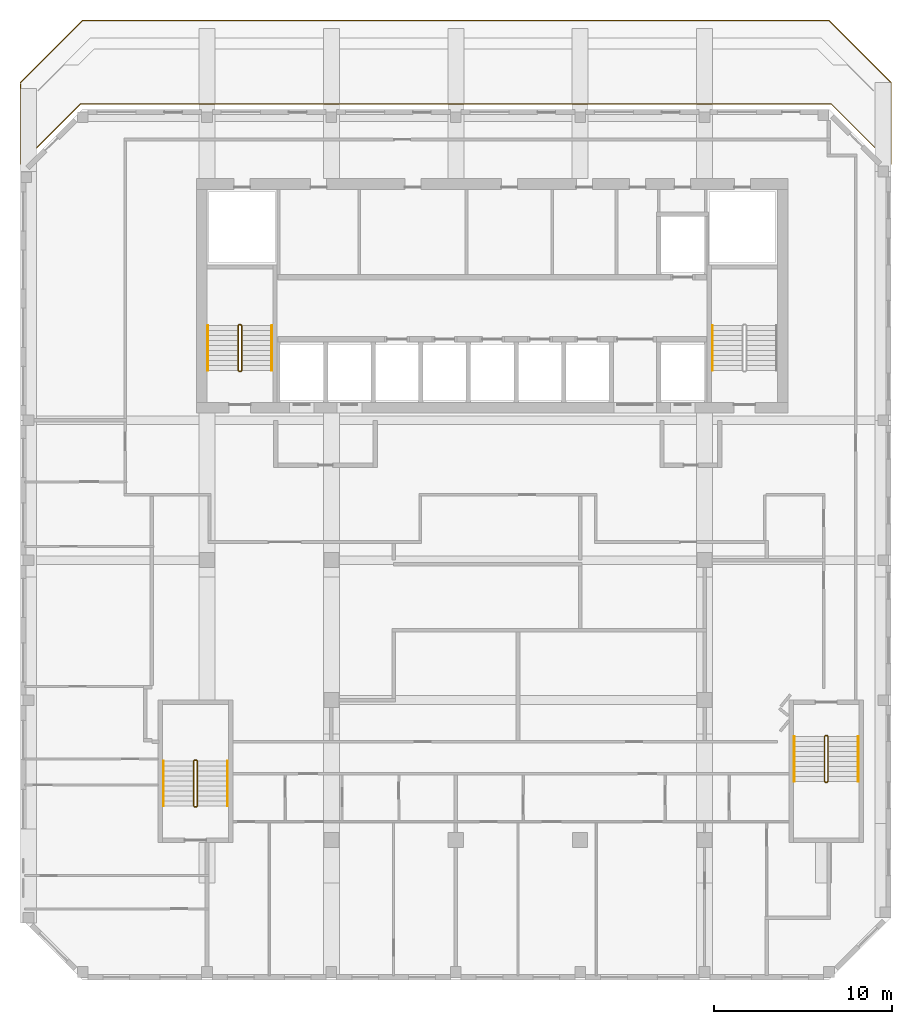
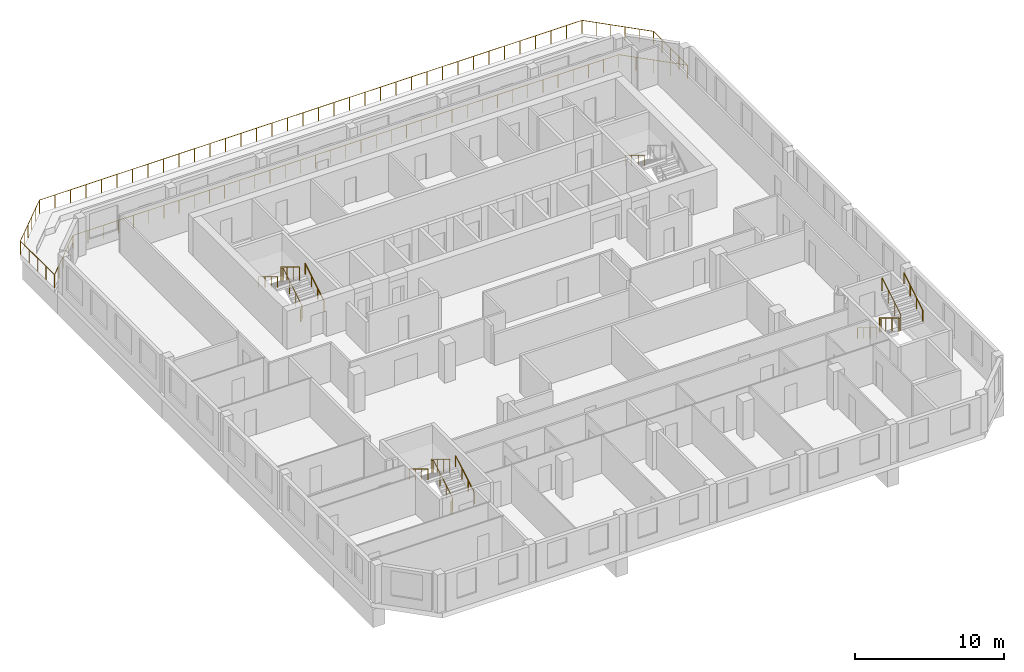
# One storey, part 11 of 12: 11 railings.
"""IFC4 building model written with IfcOpenShell, lengths in metres."""

from ifc_helpers import new_model, si_unit, direction, frame, origin, origin_2d, place, context, subcontext, project, spatial, circle, extrude, material, type_object, element, save


model = new_model("IFC4")

# Units and contexts
model_context = context("Model", 3, precision=1e-05, world=origin(), true_north=direction((0.0, 1.0)))
body_context = subcontext(model_context, "Body", "Model", "MODEL_VIEW")
ifc_project = project(units=[si_unit("LENGTHUNIT", "METRE"), si_unit("AREAUNIT", "SQUARE_METRE"), si_unit("VOLUMEUNIT", "CUBIC_METRE"), si_unit("PLANEANGLEUNIT", "RADIAN"), si_unit("MASSUNIT", "GRAM", prefix="KILO")], contexts=[model_context])

# Site, building, storey
site_placement = place(None, origin())
site = spatial("IfcSite", under=ifc_project, at=site_placement, CompositionType="ELEMENT")
building_placement = place(site_placement, origin())
building = spatial("IfcBuilding", under=site, at=building_placement, Name="Kilnfold Tower and Market Hall", CompositionType="ELEMENT")
storey_placement = place(building_placement, frame((0.0, 0.0, 295.0)))
storey = spatial("IfcBuildingStorey", under=building, at=storey_placement, Name="L73", CompositionType="ELEMENT", Elevation=295.0)

# Railings
ifc_material_1 = material(Name="Stainless steel 316", Category="steel")
railing_type_1 = type_object("IfcRailingType", Name="CORE STAIR GUARD 1100", PredefinedType="GUARDRAIL", material=ifc_material_1)
railing_1_placement = place(storey_placement, frame((-13.199951171875, 10.75, 0.0)))
element("IfcRailing", 1, at=railing_1_placement, inside=storey, type_object=railing_type_1, Name="L73 ST1 stair guard 1", PredefinedType="GUARDRAIL", context=body_context, shape_type="SweptSolid", body=[
    extrude(circle(Radius=0.02392578125, at=origin_2d()), frame((0.0, 0.0, 1.076171875), z_axis=(1.0, 0.0, 0.0), x_axis=(0.0, 1.0, 0.0)), (0.0, 0.0, 1.0), 0.099853515625),
    extrude(circle(Radius=0.02392578125, at=origin_2d()), frame((0.099853515625, 0.0, 1.076171875), z_axis=(0.271895245746, 0.271895245746, 0.923117517265), x_axis=(-0.707106781187, 0.707106781187, 0.0)), (0.0, 0.0, 1.0), 0.18408203125),
    extrude(circle(Radius=0.02392578125, at=origin_2d()), frame((0.14990234375, 0.050048828125, 1.24609375), z_axis=(0.0, 0.85478489116, 0.518982456201), x_axis=(-1.0, 0.0, 0.0)), (0.0, 0.0, 1.0), 2.9482421875),
    extrude(circle(Radius=0.02392578125, at=origin_2d()), frame((0.14990234375, 2.570068359375, 2.77587890625), z_axis=(-0.707106781187, 0.707106781187, 0.0), x_axis=(-0.707106781187, -0.707106781187, 0.0)), (0.0, 0.0, 1.0), 0.07080078125),
    extrude(circle(Radius=0.02392578125, at=origin_2d()), frame((0.099853515625, 2.6201171875, 2.77587890625), z_axis=(-1.0, 0.0, 0.0), x_axis=(0.0, -1.0, 0.0)), (0.0, 0.0, 1.0), 0.099853515625),
    extrude(circle(Radius=0.02392578125, at=origin_2d()), frame((0.0, 2.6201171875, 2.77587890625), z_axis=(-0.271562723297, -0.271562723297, 0.923313259209), x_axis=(0.707106781187, -0.707106781187, 0.0)), (0.0, 0.0, 1.0), 0.184326171875),
    extrude(circle(Radius=0.02392578125, at=origin_2d()), frame((-0.050048828125, 2.570068359375, 2.9462890625), z_axis=(0.0, -0.854821627497, 0.518921945155), x_axis=(1.0, 0.0, 0.0)), (0.0, 0.0, 1.0), 2.947998046875),
    extrude(circle(Radius=0.02099609375, at=origin_2d()), origin(), (0.0, 0.0, 1.0), 1.052001953125),
    extrude(circle(Radius=0.02099609375, at=origin_2d()), frame((0.099853515625, 0.0, 0.0)), (0.0, 0.0, 1.0), 1.052001953125),
    extrude(circle(Radius=0.02099609375, at=origin_2d()), frame((0.14990234375, 0.050048828125, 0.169921875)), (0.0, 0.0, 1.0), 1.052001953125),
    extrude(circle(Radius=0.02099609375, at=origin_2d()), frame((0.14990234375, 0.89013671875, 0.679931640625)), (0.0, 0.0, 1.0), 1.052001953125),
    extrude(circle(Radius=0.02099609375, at=origin_2d()), frame((0.14990234375, 1.72998046875, 1.18994140625)), (0.0, 0.0, 1.0), 1.052001953125),
    extrude(circle(Radius=0.02099609375, at=origin_2d()), frame((0.14990234375, 2.570068359375, 1.699951171875)), (0.0, 0.0, 1.0), 1.052001953125),
    extrude(circle(Radius=0.02099609375, at=origin_2d()), frame((0.099853515625, 2.6201171875, 1.699951171875)), (0.0, 0.0, 1.0), 1.052001953125),
    extrude(circle(Radius=0.02099609375, at=origin_2d()), frame((0.0, 2.6201171875, 1.699951171875)), (0.0, 0.0, 1.0), 1.052001953125),
    extrude(circle(Radius=0.02099609375, at=origin_2d()), frame((-0.050048828125, 2.570068359375, 1.8701171875)), (0.0, 0.0, 1.0), 1.052001953125),
    extrude(circle(Radius=0.02099609375, at=origin_2d()), frame((-0.050048828125, 1.72998046875, 2.380126953125)), (0.0, 0.0, 1.0), 1.052001953125),
    extrude(circle(Radius=0.02099609375, at=origin_2d()), frame((-0.050048828125, 0.89013671875, 2.889892578125)), (0.0, 0.0, 1.0), 1.052001953125),
    extrude(circle(Radius=0.02099609375, at=origin_2d()), frame((-0.050048828125, 0.050048828125, 3.39990234375)), (0.0, 0.0, 1.0), 1.052001953125),
])
railing_2_placement = place(storey_placement, frame((-15.699951171875, -13.75, 0.0)))
element("IfcRailing", 2, at=railing_2_placement, inside=storey, type_object=railing_type_1, Name="L73 ST3 stair guard 1", PredefinedType="GUARDRAIL", context=body_context, shape_type="SweptSolid", body=[
    extrude(circle(Radius=0.02392578125, at=origin_2d()), frame((0.0, 0.0, 1.076171875), z_axis=(1.0, 0.0, 0.0), x_axis=(0.0, 1.0, 0.0)), (0.0, 0.0, 1.0), 0.099853515625),
    extrude(circle(Radius=0.02392578125, at=origin_2d()), frame((0.099853515625, 0.0, 1.076171875), z_axis=(0.271895245746, 0.271895245746, 0.923117517265), x_axis=(-0.707106781187, 0.707106781187, 0.0)), (0.0, 0.0, 1.0), 0.18408203125),
    extrude(circle(Radius=0.02392578125, at=origin_2d()), frame((0.14990234375, 0.050048828125, 1.24609375), z_axis=(0.0, 0.85478489116, 0.518982456201), x_axis=(-1.0, 0.0, 0.0)), (0.0, 0.0, 1.0), 2.9482421875),
    extrude(circle(Radius=0.02392578125, at=origin_2d()), frame((0.14990234375, 2.570068359375, 2.77587890625), z_axis=(-0.707106781187, 0.707106781187, 0.0), x_axis=(-0.707106781187, -0.707106781187, 0.0)), (0.0, 0.0, 1.0), 0.07080078125),
    extrude(circle(Radius=0.02392578125, at=origin_2d()), frame((0.099853515625, 2.6201171875, 2.77587890625), z_axis=(-1.0, 0.0, 0.0), x_axis=(0.0, -1.0, 0.0)), (0.0, 0.0, 1.0), 0.099853515625),
    extrude(circle(Radius=0.02392578125, at=origin_2d()), frame((0.0, 2.6201171875, 2.77587890625), z_axis=(-0.271562723297, -0.271562723297, 0.923313259209), x_axis=(0.707106781187, -0.707106781187, 0.0)), (0.0, 0.0, 1.0), 0.184326171875),
    extrude(circle(Radius=0.02392578125, at=origin_2d()), frame((-0.050048828125, 2.570068359375, 2.9462890625), z_axis=(0.0, -0.854821627497, 0.518921945155), x_axis=(1.0, 0.0, 0.0)), (0.0, 0.0, 1.0), 2.947998046875),
    extrude(circle(Radius=0.02099609375, at=origin_2d()), origin(), (0.0, 0.0, 1.0), 1.052001953125),
    extrude(circle(Radius=0.02099609375, at=origin_2d()), frame((0.099853515625, 0.0, 0.0)), (0.0, 0.0, 1.0), 1.052001953125),
    extrude(circle(Radius=0.02099609375, at=origin_2d()), frame((0.14990234375, 0.050048828125, 0.169921875)), (0.0, 0.0, 1.0), 1.052001953125),
    extrude(circle(Radius=0.02099609375, at=origin_2d()), frame((0.14990234375, 0.89013671875, 0.679931640625)), (0.0, 0.0, 1.0), 1.052001953125),
    extrude(circle(Radius=0.02099609375, at=origin_2d()), frame((0.14990234375, 1.72998046875, 1.18994140625)), (0.0, 0.0, 1.0), 1.052001953125),
    extrude(circle(Radius=0.02099609375, at=origin_2d()), frame((0.14990234375, 2.570068359375, 1.699951171875)), (0.0, 0.0, 1.0), 1.052001953125),
    extrude(circle(Radius=0.02099609375, at=origin_2d()), frame((0.099853515625, 2.6201171875, 1.699951171875)), (0.0, 0.0, 1.0), 1.052001953125),
    extrude(circle(Radius=0.02099609375, at=origin_2d()), frame((0.0, 2.6201171875, 1.699951171875)), (0.0, 0.0, 1.0), 1.052001953125),
    extrude(circle(Radius=0.02099609375, at=origin_2d()), frame((-0.050048828125, 2.570068359375, 1.8701171875)), (0.0, 0.0, 1.0), 1.052001953125),
    extrude(circle(Radius=0.02099609375, at=origin_2d()), frame((-0.050048828125, 1.72998046875, 2.380126953125)), (0.0, 0.0, 1.0), 1.052001953125),
    extrude(circle(Radius=0.02099609375, at=origin_2d()), frame((-0.050048828125, 0.89013671875, 2.889892578125)), (0.0, 0.0, 1.0), 1.052001953125),
    extrude(circle(Radius=0.02099609375, at=origin_2d()), frame((-0.050048828125, 0.050048828125, 3.39990234375)), (0.0, 0.0, 1.0), 1.052001953125),
])
railing_3_placement = place(storey_placement, frame((19.89990234375, -9.75, 0.0)))
element("IfcRailing", 3, at=railing_3_placement, inside=storey, type_object=railing_type_1, Name="L73 ST4 stair guard 1", PredefinedType="GUARDRAIL", context=body_context, shape_type="SweptSolid", body=[
    extrude(circle(Radius=0.02392578125, at=origin_2d()), frame((0.0, 0.0, 1.076171875), z_axis=(-1.0, 0.0, 0.0), x_axis=(0.0, -1.0, 0.0)), (0.0, 0.0, 1.0), 0.099853515625),
    extrude(circle(Radius=0.02392578125, at=origin_2d()), frame((-0.099853515625, 0.0, 1.076171875), z_axis=(-0.271895245746, -0.271895245746, 0.923117517265), x_axis=(0.707106781187, -0.707106781187, 0.0)), (0.0, 0.0, 1.0), 0.18408203125),
    extrude(circle(Radius=0.02392578125, at=origin_2d()), frame((-0.14990234375, -0.050048828125, 1.24609375), z_axis=(0.0, -0.85478489116, 0.518982456201), x_axis=(1.0, 0.0, 0.0)), (0.0, 0.0, 1.0), 2.9482421875),
    extrude(circle(Radius=0.02392578125, at=origin_2d()), frame((-0.14990234375, -2.570068359375, 2.77587890625), z_axis=(0.707106781187, -0.707106781187, 0.0), x_axis=(0.707106781187, 0.707106781187, 0.0)), (0.0, 0.0, 1.0), 0.07080078125),
    extrude(circle(Radius=0.02392578125, at=origin_2d()), frame((-0.099853515625, -2.6201171875, 2.77587890625), z_axis=(1.0, 0.0, 0.0), x_axis=(0.0, 1.0, 0.0)), (0.0, 0.0, 1.0), 0.099853515625),
    extrude(circle(Radius=0.02392578125, at=origin_2d()), frame((0.0, -2.6201171875, 2.77587890625), z_axis=(0.271562723297, 0.271562723297, 0.923313259209), x_axis=(-0.707106781187, 0.707106781187, 0.0)), (0.0, 0.0, 1.0), 0.184326171875),
    extrude(circle(Radius=0.02392578125, at=origin_2d()), frame((0.050048828125, -2.570068359375, 2.9462890625), z_axis=(0.0, 0.854821627497, 0.518921945155), x_axis=(-1.0, 0.0, 0.0)), (0.0, 0.0, 1.0), 2.947998046875),
    extrude(circle(Radius=0.02099609375, at=origin_2d()), origin(), (0.0, 0.0, 1.0), 1.052001953125),
    extrude(circle(Radius=0.02099609375, at=origin_2d()), frame((-0.099853515625, 0.0, 0.0)), (0.0, 0.0, 1.0), 1.052001953125),
    extrude(circle(Radius=0.02099609375, at=origin_2d()), frame((-0.14990234375, -0.050048828125, 0.169921875)), (0.0, 0.0, 1.0), 1.052001953125),
    extrude(circle(Radius=0.02099609375, at=origin_2d()), frame((-0.14990234375, -0.89013671875, 0.679931640625)), (0.0, 0.0, 1.0), 1.052001953125),
    extrude(circle(Radius=0.02099609375, at=origin_2d()), frame((-0.14990234375, -1.72998046875, 1.18994140625)), (0.0, 0.0, 1.0), 1.052001953125),
    extrude(circle(Radius=0.02099609375, at=origin_2d()), frame((-0.14990234375, -2.570068359375, 1.699951171875)), (0.0, 0.0, 1.0), 1.052001953125),
    extrude(circle(Radius=0.02099609375, at=origin_2d()), frame((-0.099853515625, -2.6201171875, 1.699951171875)), (0.0, 0.0, 1.0), 1.052001953125),
    extrude(circle(Radius=0.02099609375, at=origin_2d()), frame((0.0, -2.6201171875, 1.699951171875)), (0.0, 0.0, 1.0), 1.052001953125),
    extrude(circle(Radius=0.02099609375, at=origin_2d()), frame((0.050048828125, -2.570068359375, 1.8701171875)), (0.0, 0.0, 1.0), 1.052001953125),
    extrude(circle(Radius=0.02099609375, at=origin_2d()), frame((0.050048828125, -1.72998046875, 2.380126953125)), (0.0, 0.0, 1.0), 1.052001953125),
    extrude(circle(Radius=0.02099609375, at=origin_2d()), frame((0.050048828125, -0.89013671875, 2.889892578125)), (0.0, 0.0, 1.0), 1.052001953125),
    extrude(circle(Radius=0.02099609375, at=origin_2d()), frame((0.050048828125, -0.050048828125, 3.39990234375)), (0.0, 0.0, 1.0), 1.052001953125),
])
ifc_material_2 = material(Name="Stainless steel 316", Category="steel")
railing_type_2 = type_object("IfcRailingType", Name="CORE STAIR HANDRAIL 900", PredefinedType="HANDRAIL", material=ifc_material_2)
railing_4_placement = place(storey_placement, frame((-11.35009765625, 10.800048828125, 0.169921875)))
element("IfcRailing", 4, at=railing_4_placement, inside=storey, type_object=railing_type_2, Name="L73 ST1 stair handrail 1", PredefinedType="HANDRAIL", context=body_context, shape_type="SweptSolid", body=[
    extrude(circle(Radius=0.02392578125, at=origin_2d()), frame((0.0, 0.0, 0.8759765625), z_axis=(0.0, 0.85478489116, 0.518982456201), x_axis=(-1.0, 0.0, 0.0)), (0.0, 0.0, 1.0), 2.9482421875),
    extrude(circle(Radius=0.02099609375, at=origin_2d()), origin(), (0.0, 0.0, 1.0), 0.851806640625),
    extrude(circle(Radius=0.02099609375, at=origin_2d()), frame((0.0, 0.840087890625, 0.510009765625)), (0.0, 0.0, 1.0), 0.851806640625),
    extrude(circle(Radius=0.02099609375, at=origin_2d()), frame((0.0, 1.679931640625, 1.02001953125)), (0.0, 0.0, 1.0), 0.851806640625),
    extrude(circle(Radius=0.02099609375, at=origin_2d()), frame((0.0, 2.52001953125, 1.530029296875)), (0.0, 0.0, 1.0), 0.851806640625),
])
for number, where, name in (
    (5, (-14.949951171875, 13.320068359375, 1.8701171875), "L73 ST1 stair handrail 2"),
    (6, (13.449951171875, 13.320068359375, 1.8701171875), "L73 ST2 stair handrail 2"),
):
    element("IfcRailing", number, at=place(storey_placement, frame(where)), inside=storey, type_object=railing_type_2, Name=name, PredefinedType="HANDRAIL", context=body_context, shape_type="SweptSolid", body=[
        extrude(circle(Radius=0.02392578125, at=origin_2d()), frame((0.0, 0.0, 0.8759765625), z_axis=(0.0, -0.854821627497, 0.518921945155), x_axis=(1.0, 0.0, 0.0)), (0.0, 0.0, 1.0), 2.947998046875),
        extrude(circle(Radius=0.02099609375, at=origin_2d()), origin(), (0.0, 0.0, 1.0), 0.851806640625),
        extrude(circle(Radius=0.02099609375, at=origin_2d()), frame((0.0, -0.840087890625, 0.510009765625)), (0.0, 0.0, 1.0), 0.851806640625),
        extrude(circle(Radius=0.02099609375, at=origin_2d()), frame((0.0, -1.679931640625, 1.019775390625)), (0.0, 0.0, 1.0), 0.851806640625),
        extrude(circle(Radius=0.02099609375, at=origin_2d()), frame((0.0, -2.52001953125, 1.52978515625)), (0.0, 0.0, 1.0), 0.851806640625),
    ])
railing_5_placement = place(storey_placement, frame((-13.85009765625, -13.699951171875, 0.169921875)))
element("IfcRailing", 7, at=railing_5_placement, inside=storey, type_object=railing_type_2, Name="L73 ST3 stair handrail 1", PredefinedType="HANDRAIL", context=body_context, shape_type="SweptSolid", body=[
    extrude(circle(Radius=0.02392578125, at=origin_2d()), frame((0.0, 0.0, 0.8759765625), z_axis=(0.0, 0.85478489116, 0.518982456201), x_axis=(-1.0, 0.0, 0.0)), (0.0, 0.0, 1.0), 2.9482421875),
    extrude(circle(Radius=0.02099609375, at=origin_2d()), origin(), (0.0, 0.0, 1.0), 0.851806640625),
    extrude(circle(Radius=0.02099609375, at=origin_2d()), frame((0.0, 0.840087890625, 0.510009765625)), (0.0, 0.0, 1.0), 0.851806640625),
    extrude(circle(Radius=0.02099609375, at=origin_2d()), frame((0.0, 1.679931640625, 1.02001953125)), (0.0, 0.0, 1.0), 0.851806640625),
    extrude(circle(Radius=0.02099609375, at=origin_2d()), frame((0.0, 2.52001953125, 1.530029296875)), (0.0, 0.0, 1.0), 0.851806640625),
])
railing_6_placement = place(storey_placement, frame((-17.449951171875, -11.179931640625, 1.8701171875)))
element("IfcRailing", 8, at=railing_6_placement, inside=storey, type_object=railing_type_2, Name="L73 ST3 stair handrail 2", PredefinedType="HANDRAIL", context=body_context, shape_type="SweptSolid", body=[
    extrude(circle(Radius=0.02392578125, at=origin_2d()), frame((0.0, 0.0, 0.8759765625), z_axis=(0.0, -0.854821627497, 0.518921945155), x_axis=(1.0, 0.0, 0.0)), (0.0, 0.0, 1.0), 2.947998046875),
    extrude(circle(Radius=0.02099609375, at=origin_2d()), origin(), (0.0, 0.0, 1.0), 0.851806640625),
    extrude(circle(Radius=0.02099609375, at=origin_2d()), frame((0.0, -0.840087890625, 0.510009765625)), (0.0, 0.0, 1.0), 0.851806640625),
    extrude(circle(Radius=0.02099609375, at=origin_2d()), frame((0.0, -1.679931640625, 1.019775390625)), (0.0, 0.0, 1.0), 0.851806640625),
    extrude(circle(Radius=0.02099609375, at=origin_2d()), frame((0.0, -2.52001953125, 1.52978515625)), (0.0, 0.0, 1.0), 0.851806640625),
])
railing_7_placement = place(storey_placement, frame((18.050048828125, -9.800048828125, 0.169921875)))
element("IfcRailing", 9, at=railing_7_placement, inside=storey, type_object=railing_type_2, Name="L73 ST4 stair handrail 1", PredefinedType="HANDRAIL", context=body_context, shape_type="SweptSolid", body=[
    extrude(circle(Radius=0.02392578125, at=origin_2d()), frame((0.0, 0.0, 0.8759765625), z_axis=(0.0, -0.85478489116, 0.518982456201), x_axis=(1.0, 0.0, 0.0)), (0.0, 0.0, 1.0), 2.9482421875),
    extrude(circle(Radius=0.02099609375, at=origin_2d()), origin(), (0.0, 0.0, 1.0), 0.851806640625),
    extrude(circle(Radius=0.02099609375, at=origin_2d()), frame((0.0, -0.840087890625, 0.510009765625)), (0.0, 0.0, 1.0), 0.851806640625),
    extrude(circle(Radius=0.02099609375, at=origin_2d()), frame((0.0, -1.679931640625, 1.02001953125)), (0.0, 0.0, 1.0), 0.851806640625),
    extrude(circle(Radius=0.02099609375, at=origin_2d()), frame((0.0, -2.52001953125, 1.530029296875)), (0.0, 0.0, 1.0), 0.851806640625),
])
railing_8_placement = place(storey_placement, frame((21.64990234375, -12.320068359375, 1.8701171875)))
element("IfcRailing", 10, at=railing_8_placement, inside=storey, type_object=railing_type_2, Name="L73 ST4 stair handrail 2", PredefinedType="HANDRAIL", context=body_context, shape_type="SweptSolid", body=[
    extrude(circle(Radius=0.02392578125, at=origin_2d()), frame((0.0, 0.0, 0.8759765625), z_axis=(0.0, 0.854821627497, 0.518921945155), x_axis=(-1.0, 0.0, 0.0)), (0.0, 0.0, 1.0), 2.947998046875),
    extrude(circle(Radius=0.02099609375, at=origin_2d()), origin(), (0.0, 0.0, 1.0), 0.851806640625),
    extrude(circle(Radius=0.02099609375, at=origin_2d()), frame((0.0, 0.840087890625, 0.510009765625)), (0.0, 0.0, 1.0), 0.851806640625),
    extrude(circle(Radius=0.02099609375, at=origin_2d()), frame((0.0, 1.679931640625, 1.019775390625)), (0.0, 0.0, 1.0), 0.851806640625),
    extrude(circle(Radius=0.02099609375, at=origin_2d()), frame((0.0, 2.52001953125, 1.52978515625)), (0.0, 0.0, 1.0), 0.851806640625),
])
ifc_material_3 = material(Name="Stainless steel and laminated glass", Category="steel")
railing_type_3 = type_object("IfcRailingType", Name="GUARD 1100", PredefinedType="GUARDRAIL", material=ifc_material_3)
railing_9_placement = place(storey_placement, frame((-25.5, 27.0, 0.0)))
element("IfcRailing", 11, at=railing_9_placement, inside=storey, type_object=railing_type_3, Name="Guard terrace L73", PredefinedType="GUARDRAIL", context=body_context, shape_type="SweptSolid", body=[
    extrude(circle(Radius=0.02490234375, at=origin_2d()), frame((0.0, 0.0, 1.0751953125), z_axis=(0.707106781187, 0.707106781187, 0.0), x_axis=(-0.707106781187, 0.707106781187, 0.0)), (0.0, 0.0, 1.0), 4.94970703125),
    extrude(circle(Radius=0.02490234375, at=origin_2d()), frame((3.5, 3.5, 1.0751953125), z_axis=(1.0, 0.0, 0.0), x_axis=(0.0, 1.0, 0.0)), (0.0, 0.0, 1.0), 42.0),
    extrude(circle(Radius=0.02490234375, at=origin_2d()), frame((45.5, 3.5, 1.0751953125), z_axis=(0.707106781187, -0.707106781187, 0.0), x_axis=(0.707106781187, 0.707106781187, 0.0)), (0.0, 0.0, 1.0), 4.94970703125),
    extrude(circle(Radius=0.02490234375, at=origin_2d()), frame((49.0, 0.0, 1.0751953125), z_axis=(0.0, -1.0, 0.0), x_axis=(1.0, 0.0, 0.0)), (0.0, 0.0, 1.0), 4.57568359375),
    extrude(circle(Radius=0.02490234375, at=origin_2d()), frame((49.0, -4.57568359375, 1.0751953125), z_axis=(-0.707106781187, 0.707106781187, 0.0), x_axis=(-0.707106781187, -0.707106781187, 0.0)), (0.0, 0.0, 1.0), 4.77392578125),
    extrude(circle(Radius=0.02490234375, at=origin_2d()), frame((45.624267578125, -1.199951171875, 1.0751953125), z_axis=(-1.0, 0.0, 0.0), x_axis=(0.0, -1.0, 0.0)), (0.0, 0.0, 1.0), 42.24853515625),
    extrude(circle(Radius=0.02490234375, at=origin_2d()), frame((3.375732421875, -1.199951171875, 1.0751953125), z_axis=(-0.707106781187, -0.707106781187, 0.0), x_axis=(0.707106781187, -0.707106781187, 0.0)), (0.0, 0.0, 1.0), 4.77392578125),
    extrude(circle(Radius=0.02490234375, at=origin_2d()), frame((0.0, -4.57568359375, 1.0751953125), z_axis=(0.0, 1.0, 0.0), x_axis=(-1.0, 0.0, 0.0)), (0.0, 0.0, 1.0), 4.515625),
    extrude(circle(Radius=0.02490234375, at=origin_2d()), origin(), (0.0, 0.0, 1.0), 1.050048828125),
    extrude(circle(Radius=0.02490234375, at=origin_2d()), frame((0.699951171875, 0.699951171875, 0.0)), (0.0, 0.0, 1.0), 1.050048828125),
    extrude(circle(Radius=0.02490234375, at=origin_2d()), frame((1.39990234375, 1.39990234375, 0.0)), (0.0, 0.0, 1.0), 1.050048828125),
    extrude(circle(Radius=0.02490234375, at=origin_2d()), frame((2.10009765625, 2.10009765625, 0.0)), (0.0, 0.0, 1.0), 1.050048828125),
    extrude(circle(Radius=0.02490234375, at=origin_2d()), frame((2.800048828125, 2.800048828125, 0.0)), (0.0, 0.0, 1.0), 1.050048828125),
    extrude(circle(Radius=0.02490234375, at=origin_2d()), frame((3.5, 3.5, 0.0)), (0.0, 0.0, 1.0), 1.050048828125),
    extrude(circle(Radius=0.02490234375, at=origin_2d()), frame((4.699951171875, 3.5, 0.0)), (0.0, 0.0, 1.0), 1.050048828125),
    extrude(circle(Radius=0.02490234375, at=origin_2d()), frame((5.89990234375, 3.5, 0.0)), (0.0, 0.0, 1.0), 1.050048828125),
    extrude(circle(Radius=0.02490234375, at=origin_2d()), frame((7.10009765625, 3.5, 0.0)), (0.0, 0.0, 1.0), 1.050048828125),
    extrude(circle(Radius=0.02490234375, at=origin_2d()), frame((8.300048828125, 3.5, 0.0)), (0.0, 0.0, 1.0), 1.050048828125),
    extrude(circle(Radius=0.02490234375, at=origin_2d()), frame((9.5, 3.5, 0.0)), (0.0, 0.0, 1.0), 1.050048828125),
    extrude(circle(Radius=0.02490234375, at=origin_2d()), frame((10.699951171875, 3.5, 0.0)), (0.0, 0.0, 1.0), 1.050048828125),
    extrude(circle(Radius=0.02490234375, at=origin_2d()), frame((11.89990234375, 3.5, 0.0)), (0.0, 0.0, 1.0), 1.050048828125),
    extrude(circle(Radius=0.02490234375, at=origin_2d()), frame((13.10009765625, 3.5, 0.0)), (0.0, 0.0, 1.0), 1.050048828125),
    extrude(circle(Radius=0.02490234375, at=origin_2d()), frame((14.300048828125, 3.5, 0.0)), (0.0, 0.0, 1.0), 1.050048828125),
    extrude(circle(Radius=0.02490234375, at=origin_2d()), frame((15.5, 3.5, 0.0)), (0.0, 0.0, 1.0), 1.050048828125),
    extrude(circle(Radius=0.02490234375, at=origin_2d()), frame((16.699951171875, 3.5, 0.0)), (0.0, 0.0, 1.0), 1.050048828125),
    extrude(circle(Radius=0.02490234375, at=origin_2d()), frame((17.89990234375, 3.5, 0.0)), (0.0, 0.0, 1.0), 1.050048828125),
    extrude(circle(Radius=0.02490234375, at=origin_2d()), frame((19.10009765625, 3.5, 0.0)), (0.0, 0.0, 1.0), 1.050048828125),
    extrude(circle(Radius=0.02490234375, at=origin_2d()), frame((20.300048828125, 3.5, 0.0)), (0.0, 0.0, 1.0), 1.050048828125),
    extrude(circle(Radius=0.02490234375, at=origin_2d()), frame((21.5, 3.5, 0.0)), (0.0, 0.0, 1.0), 1.050048828125),
    extrude(circle(Radius=0.02490234375, at=origin_2d()), frame((22.699951171875, 3.5, 0.0)), (0.0, 0.0, 1.0), 1.050048828125),
    extrude(circle(Radius=0.02490234375, at=origin_2d()), frame((23.89990234375, 3.5, 0.0)), (0.0, 0.0, 1.0), 1.050048828125),
    extrude(circle(Radius=0.02490234375, at=origin_2d()), frame((25.10009765625, 3.5, 0.0)), (0.0, 0.0, 1.0), 1.050048828125),
    extrude(circle(Radius=0.02490234375, at=origin_2d()), frame((26.300048828125, 3.5, 0.0)), (0.0, 0.0, 1.0), 1.050048828125),
    extrude(circle(Radius=0.02490234375, at=origin_2d()), frame((27.5, 3.5, 0.0)), (0.0, 0.0, 1.0), 1.050048828125),
    extrude(circle(Radius=0.02490234375, at=origin_2d()), frame((28.699951171875, 3.5, 0.0)), (0.0, 0.0, 1.0), 1.050048828125),
    extrude(circle(Radius=0.02490234375, at=origin_2d()), frame((29.89990234375, 3.5, 0.0)), (0.0, 0.0, 1.0), 1.050048828125),
    extrude(circle(Radius=0.02490234375, at=origin_2d()), frame((31.10009765625, 3.5, 0.0)), (0.0, 0.0, 1.0), 1.050048828125),
    extrude(circle(Radius=0.02490234375, at=origin_2d()), frame((32.300048828125, 3.5, 0.0)), (0.0, 0.0, 1.0), 1.050048828125),
    extrude(circle(Radius=0.02490234375, at=origin_2d()), frame((33.5, 3.5, 0.0)), (0.0, 0.0, 1.0), 1.050048828125),
    extrude(circle(Radius=0.02490234375, at=origin_2d()), frame((34.699951171875, 3.5, 0.0)), (0.0, 0.0, 1.0), 1.050048828125),
    extrude(circle(Radius=0.02490234375, at=origin_2d()), frame((35.89990234375, 3.5, 0.0)), (0.0, 0.0, 1.0), 1.050048828125),
    extrude(circle(Radius=0.02490234375, at=origin_2d()), frame((37.10009765625, 3.5, 0.0)), (0.0, 0.0, 1.0), 1.050048828125),
    extrude(circle(Radius=0.02490234375, at=origin_2d()), frame((38.300048828125, 3.5, 0.0)), (0.0, 0.0, 1.0), 1.050048828125),
    extrude(circle(Radius=0.02490234375, at=origin_2d()), frame((39.5, 3.5, 0.0)), (0.0, 0.0, 1.0), 1.050048828125),
    extrude(circle(Radius=0.02490234375, at=origin_2d()), frame((40.699951171875, 3.5, 0.0)), (0.0, 0.0, 1.0), 1.050048828125),
    extrude(circle(Radius=0.02490234375, at=origin_2d()), frame((41.89990234375, 3.5, 0.0)), (0.0, 0.0, 1.0), 1.050048828125),
    extrude(circle(Radius=0.02490234375, at=origin_2d()), frame((43.10009765625, 3.5, 0.0)), (0.0, 0.0, 1.0), 1.050048828125),
    extrude(circle(Radius=0.02490234375, at=origin_2d()), frame((44.300048828125, 3.5, 0.0)), (0.0, 0.0, 1.0), 1.050048828125),
    extrude(circle(Radius=0.02490234375, at=origin_2d()), frame((45.5, 3.5, 0.0)), (0.0, 0.0, 1.0), 1.050048828125),
    extrude(circle(Radius=0.02490234375, at=origin_2d()), frame((46.199951171875, 2.800048828125, 0.0)), (0.0, 0.0, 1.0), 1.050048828125),
    extrude(circle(Radius=0.02490234375, at=origin_2d()), frame((46.89990234375, 2.10009765625, 0.0)), (0.0, 0.0, 1.0), 1.050048828125),
    extrude(circle(Radius=0.02490234375, at=origin_2d()), frame((47.60009765625, 1.39990234375, 0.0)), (0.0, 0.0, 1.0), 1.050048828125),
    extrude(circle(Radius=0.02490234375, at=origin_2d()), frame((48.300048828125, 0.699951171875, 0.0)), (0.0, 0.0, 1.0), 1.050048828125),
    extrude(circle(Radius=0.02490234375, at=origin_2d()), frame((49.0, 0.0, 0.0)), (0.0, 0.0, 1.0), 1.050048828125),
    extrude(circle(Radius=0.02490234375, at=origin_2d()), frame((49.0, -1.14404296875, 0.0)), (0.0, 0.0, 1.0), 1.050048828125),
    extrude(circle(Radius=0.02490234375, at=origin_2d()), frame((49.0, -2.287841796875, 0.0)), (0.0, 0.0, 1.0), 1.050048828125),
    extrude(circle(Radius=0.02490234375, at=origin_2d()), frame((49.0, -3.431640625, 0.0)), (0.0, 0.0, 1.0), 1.050048828125),
    extrude(circle(Radius=0.02490234375, at=origin_2d()), frame((49.0, -4.57568359375, 0.0)), (0.0, 0.0, 1.0), 1.050048828125),
    extrude(circle(Radius=0.02490234375, at=origin_2d()), frame((48.156005859375, -3.731689453125, 0.0)), (0.0, 0.0, 1.0), 1.050048828125),
    extrude(circle(Radius=0.02490234375, at=origin_2d()), frame((47.31201171875, -2.8876953125, 0.0)), (0.0, 0.0, 1.0), 1.050048828125),
    extrude(circle(Radius=0.02490234375, at=origin_2d()), frame((46.46826171875, -2.0439453125, 0.0)), (0.0, 0.0, 1.0), 1.050048828125),
    extrude(circle(Radius=0.02490234375, at=origin_2d()), frame((45.624267578125, -1.199951171875, 0.0)), (0.0, 0.0, 1.0), 1.050048828125),
    extrude(circle(Radius=0.02490234375, at=origin_2d()), frame((44.45068359375, -1.199951171875, 0.0)), (0.0, 0.0, 1.0), 1.050048828125),
    extrude(circle(Radius=0.02490234375, at=origin_2d()), frame((43.277099609375, -1.199951171875, 0.0)), (0.0, 0.0, 1.0), 1.050048828125),
    extrude(circle(Radius=0.02490234375, at=origin_2d()), frame((42.103515625, -1.199951171875, 0.0)), (0.0, 0.0, 1.0), 1.050048828125),
    extrude(circle(Radius=0.02490234375, at=origin_2d()), frame((40.929931640625, -1.199951171875, 0.0)), (0.0, 0.0, 1.0), 1.050048828125),
    extrude(circle(Radius=0.02490234375, at=origin_2d()), frame((39.75634765625, -1.199951171875, 0.0)), (0.0, 0.0, 1.0), 1.050048828125),
    extrude(circle(Radius=0.02490234375, at=origin_2d()), frame((38.582763671875, -1.199951171875, 0.0)), (0.0, 0.0, 1.0), 1.050048828125),
    extrude(circle(Radius=0.02490234375, at=origin_2d()), frame((37.4091796875, -1.199951171875, 0.0)), (0.0, 0.0, 1.0), 1.050048828125),
    extrude(circle(Radius=0.02490234375, at=origin_2d()), frame((36.235595703125, -1.199951171875, 0.0)), (0.0, 0.0, 1.0), 1.050048828125),
    extrude(circle(Radius=0.02490234375, at=origin_2d()), frame((35.06201171875, -1.199951171875, 0.0)), (0.0, 0.0, 1.0), 1.050048828125),
    extrude(circle(Radius=0.02490234375, at=origin_2d()), frame((33.888671875, -1.199951171875, 0.0)), (0.0, 0.0, 1.0), 1.050048828125),
    extrude(circle(Radius=0.02490234375, at=origin_2d()), frame((32.715087890625, -1.199951171875, 0.0)), (0.0, 0.0, 1.0), 1.050048828125),
    extrude(circle(Radius=0.02490234375, at=origin_2d()), frame((31.54150390625, -1.199951171875, 0.0)), (0.0, 0.0, 1.0), 1.050048828125),
    extrude(circle(Radius=0.02490234375, at=origin_2d()), frame((30.367919921875, -1.199951171875, 0.0)), (0.0, 0.0, 1.0), 1.050048828125),
    extrude(circle(Radius=0.02490234375, at=origin_2d()), frame((29.1943359375, -1.199951171875, 0.0)), (0.0, 0.0, 1.0), 1.050048828125),
    extrude(circle(Radius=0.02490234375, at=origin_2d()), frame((28.020751953125, -1.199951171875, 0.0)), (0.0, 0.0, 1.0), 1.050048828125),
    extrude(circle(Radius=0.02490234375, at=origin_2d()), frame((26.84716796875, -1.199951171875, 0.0)), (0.0, 0.0, 1.0), 1.050048828125),
    extrude(circle(Radius=0.02490234375, at=origin_2d()), frame((25.673583984375, -1.199951171875, 0.0)), (0.0, 0.0, 1.0), 1.050048828125),
    extrude(circle(Radius=0.02490234375, at=origin_2d()), frame((24.5, -1.199951171875, 0.0)), (0.0, 0.0, 1.0), 1.050048828125),
    extrude(circle(Radius=0.02490234375, at=origin_2d()), frame((23.326416015625, -1.199951171875, 0.0)), (0.0, 0.0, 1.0), 1.050048828125),
    extrude(circle(Radius=0.02490234375, at=origin_2d()), frame((22.15283203125, -1.199951171875, 0.0)), (0.0, 0.0, 1.0), 1.050048828125),
    extrude(circle(Radius=0.02490234375, at=origin_2d()), frame((20.979248046875, -1.199951171875, 0.0)), (0.0, 0.0, 1.0), 1.050048828125),
    extrude(circle(Radius=0.02490234375, at=origin_2d()), frame((19.8056640625, -1.199951171875, 0.0)), (0.0, 0.0, 1.0), 1.050048828125),
    extrude(circle(Radius=0.02490234375, at=origin_2d()), frame((18.632080078125, -1.199951171875, 0.0)), (0.0, 0.0, 1.0), 1.050048828125),
    extrude(circle(Radius=0.02490234375, at=origin_2d()), frame((17.45849609375, -1.199951171875, 0.0)), (0.0, 0.0, 1.0), 1.050048828125),
    extrude(circle(Radius=0.02490234375, at=origin_2d()), frame((16.284912109375, -1.199951171875, 0.0)), (0.0, 0.0, 1.0), 1.050048828125),
    extrude(circle(Radius=0.02490234375, at=origin_2d()), frame((15.111328125, -1.199951171875, 0.0)), (0.0, 0.0, 1.0), 1.050048828125),
    extrude(circle(Radius=0.02490234375, at=origin_2d()), frame((13.93798828125, -1.199951171875, 0.0)), (0.0, 0.0, 1.0), 1.050048828125),
    extrude(circle(Radius=0.02490234375, at=origin_2d()), frame((12.764404296875, -1.199951171875, 0.0)), (0.0, 0.0, 1.0), 1.050048828125),
    extrude(circle(Radius=0.02490234375, at=origin_2d()), frame((11.5908203125, -1.199951171875, 0.0)), (0.0, 0.0, 1.0), 1.050048828125),
    extrude(circle(Radius=0.02490234375, at=origin_2d()), frame((10.417236328125, -1.199951171875, 0.0)), (0.0, 0.0, 1.0), 1.050048828125),
    extrude(circle(Radius=0.02490234375, at=origin_2d()), frame((9.24365234375, -1.199951171875, 0.0)), (0.0, 0.0, 1.0), 1.050048828125),
    extrude(circle(Radius=0.02490234375, at=origin_2d()), frame((8.070068359375, -1.199951171875, 0.0)), (0.0, 0.0, 1.0), 1.050048828125),
    extrude(circle(Radius=0.02490234375, at=origin_2d()), frame((6.896484375, -1.199951171875, 0.0)), (0.0, 0.0, 1.0), 1.050048828125),
    extrude(circle(Radius=0.02490234375, at=origin_2d()), frame((5.722900390625, -1.199951171875, 0.0)), (0.0, 0.0, 1.0), 1.050048828125),
    extrude(circle(Radius=0.02490234375, at=origin_2d()), frame((4.54931640625, -1.199951171875, 0.0)), (0.0, 0.0, 1.0), 1.050048828125),
    extrude(circle(Radius=0.02490234375, at=origin_2d()), frame((3.375732421875, -1.199951171875, 0.0)), (0.0, 0.0, 1.0), 1.050048828125),
    extrude(circle(Radius=0.02490234375, at=origin_2d()), frame((2.53173828125, -2.0439453125, 0.0)), (0.0, 0.0, 1.0), 1.050048828125),
    extrude(circle(Radius=0.02490234375, at=origin_2d()), frame((1.68798828125, -2.8876953125, 0.0)), (0.0, 0.0, 1.0), 1.050048828125),
    extrude(circle(Radius=0.02490234375, at=origin_2d()), frame((0.843994140625, -3.731689453125, 0.0)), (0.0, 0.0, 1.0), 1.050048828125),
    extrude(circle(Radius=0.02490234375, at=origin_2d()), frame((0.0, -4.57568359375, 0.0)), (0.0, 0.0, 1.0), 1.050048828125),
    extrude(circle(Radius=0.02490234375, at=origin_2d()), frame((0.0, -3.44677734375, 0.0)), (0.0, 0.0, 1.0), 1.050048828125),
    extrude(circle(Radius=0.02490234375, at=origin_2d()), frame((0.0, -2.31787109375, 0.0)), (0.0, 0.0, 1.0), 1.050048828125),
    extrude(circle(Radius=0.02490234375, at=origin_2d()), frame((0.0, -1.18896484375, 0.0)), (0.0, 0.0, 1.0), 1.050048828125),
    extrude(circle(Radius=0.02490234375, at=origin_2d()), frame((0.0, -0.06005859375, 0.0)), (0.0, 0.0, 1.0), 1.050048828125),
])

save(model, "model.ifc")
